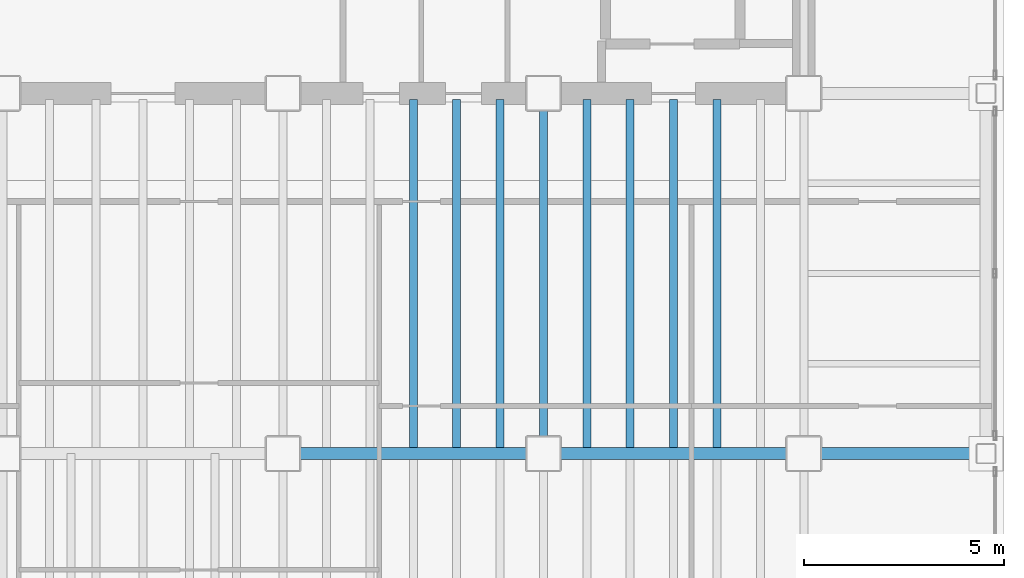
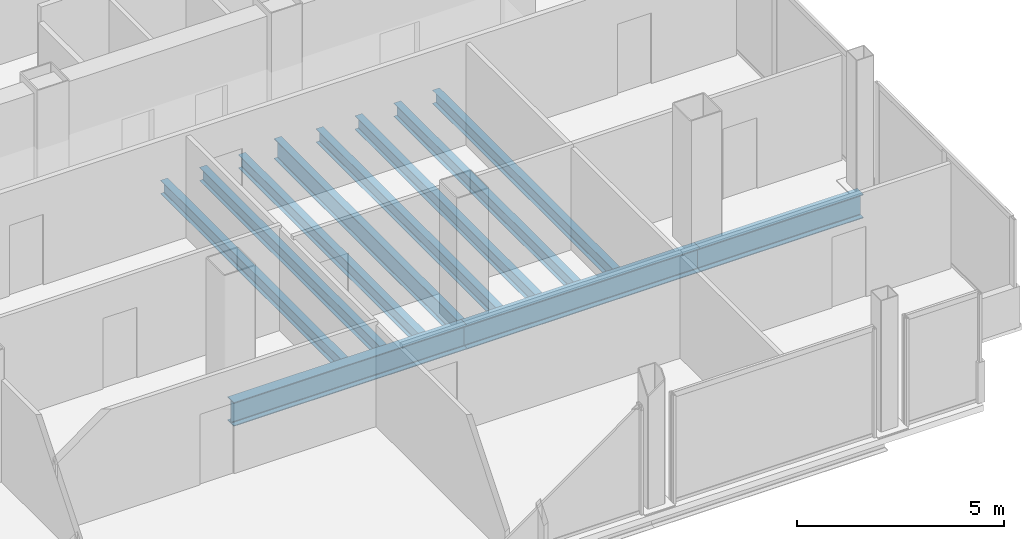
# One storey, part 15 of 22: 11 beams.
"""IFC4 building model written with IfcOpenShell, lengths in metres."""

from ifc_helpers import new_model, si_unit, direction, frame, origin, origin_2d, place, context, subcontext, project, spatial, i_section, extrude, material, material_profile, profile_set, type_object, element, save


model = new_model("IFC4")

# Units and contexts
model_context = context("Model", 3, precision=1e-05, world=origin(), true_north=direction((0.0, 1.0)))
body_context = subcontext(model_context, "Body", "Model", "MODEL_VIEW")
ifc_project = project(units=[si_unit("LENGTHUNIT", "METRE"), si_unit("AREAUNIT", "SQUARE_METRE"), si_unit("VOLUMEUNIT", "CUBIC_METRE"), si_unit("PLANEANGLEUNIT", "RADIAN"), si_unit("MASSUNIT", "GRAM", prefix="KILO")], contexts=[model_context])

# Site, building, storey
site_placement = place(None, origin())
site = spatial("IfcSite", under=ifc_project, at=site_placement, CompositionType="ELEMENT")
building_placement = place(site_placement, origin())
building = spatial("IfcBuilding", under=site, at=building_placement, Name="Noeulbin Bourse Tower", CompositionType="ELEMENT")
storey_placement = place(building_placement, frame((0.0, 0.0, 134.39990234375)))
storey = spatial("IfcBuildingStorey", under=building, at=storey_placement, Name="L33", CompositionType="ELEMENT", Elevation=134.39990234375)

# Beams
ifc_material = material(Name="Steel S355", Category="steel")
ifc_material_profile_1 = material_profile(ifc_material, i_section(OverallWidth=0.199951171875, OverallDepth=0.60009765625, WebThickness=0.010986328125, FlangeThickness=0.01708984375, FilletRadius=0.02197265625, at=origin_2d()), Name="H-600x200x11x17", Category="LoadBearing")
ifc_profile_set_1 = profile_set([ifc_material_profile_1], Name="Steel S355")
beam_type_1 = type_object("IfcBeamType", Name="BM-GRD-600", PredefinedType="USERDEFINED", material=ifc_profile_set_1)
beam_1_placement = place(storey_placement, frame((37.5, 20.0, -0.47998046875), z_axis=(0.0, 1.0, 0.0), x_axis=(-1.0, 0.0, 0.0)))
element("IfcBeam", 1, at=beam_1_placement, inside=storey, type_object=beam_type_1, Name="Tower Primary Girder NS L33-4.2", ObjectType="GIRDER", PredefinedType="USERDEFINED", context=body_context, shape_type="SweptSolid", body=[
    extrude(i_section(OverallWidth=0.199951171875, OverallDepth=0.60009765625, WebThickness=0.010986328125, FlangeThickness=0.01708984375, FilletRadius=0.02197265625, at=origin_2d()), origin(), (0.0, 0.0, 1.0), 9.0),
])
ifc_material_profile_2 = material_profile(ifc_material, i_section(OverallWidth=0.300048828125, OverallDepth=0.699951171875, WebThickness=0.012939453125, FlangeThickness=0.02392578125, FilletRadius=0.02392578125, at=origin_2d()), Name="H-700x300x13x24", Category="LoadBearing")
ifc_profile_set_2 = profile_set([ifc_material_profile_2], Name="Steel S355")
beam_type_2 = type_object("IfcBeamType", Name="BM-GRD-700", PredefinedType="USERDEFINED", material=ifc_profile_set_2)
for number, where, z_axis, x_axis, name in (
    (2, (31.0, 20.0, -0.52978515625), (1.0, 0.0, 0.0), (0.0, 1.0, 0.0), "Tower Primary Girder EW L33-1.4"),
    (3, (37.5, 20.0, -0.52978515625), (1.0, 0.0, 0.0), (0.0, 1.0, 0.0), "Tower Primary Girder EW L33-1.5"),
):
    element("IfcBeam", number, at=place(storey_placement, frame(where, z_axis=z_axis, x_axis=x_axis)), inside=storey, type_object=beam_type_2, Name=name, ObjectType="GIRDER", PredefinedType="USERDEFINED", context=body_context, shape_type="SweptSolid", body=[
        extrude(i_section(OverallWidth=0.300048828125, OverallDepth=0.699951171875, WebThickness=0.012939453125, FlangeThickness=0.02392578125, FilletRadius=0.02392578125, at=origin_2d()), origin(), (0.0, 0.0, 1.0), 6.5),
    ])
beam_2_placement = place(storey_placement, frame((44.0, 20.0, -0.52978515625), z_axis=(1.0, 0.0, 0.0), x_axis=(0.0, 1.0, 0.0)))
element("IfcBeam", 4, at=beam_2_placement, inside=storey, type_object=beam_type_2, Name="Tower Primary Girder EW L33-1.6", ObjectType="GIRDER", PredefinedType="USERDEFINED", context=body_context, shape_type="SweptSolid", body=[
    extrude(i_section(OverallWidth=0.300048828125, OverallDepth=0.699951171875, WebThickness=0.012939453125, FlangeThickness=0.02392578125, FilletRadius=0.02392578125, at=origin_2d()), origin(), (0.0, 0.0, 1.0), 4.550048828125),
])
ifc_material_profile_3 = material_profile(ifc_material, i_section(OverallWidth=0.199951171875, OverallDepth=0.39990234375, WebThickness=0.008056640625, FlangeThickness=0.012939453125, FilletRadius=0.01611328125, at=origin_2d()), Name="H-400x200x8x13", Category="LoadBearing")
ifc_profile_set_3 = profile_set([ifc_material_profile_3], Name="Steel S355")
beam_type_3 = type_object("IfcBeamType", Name="BM-SEC-400", PredefinedType="BEAM", material=ifc_profile_set_3)
for number, where, z_axis, x_axis, name in (
    (5, (34.25, 20.14990234375, -0.3798828125), (0.0, 1.0, 0.0), (-1.0, 0.0, 0.0), "Tower Composite Joist L33-32"),
    (6, (35.333251953125, 20.14990234375, -0.3798828125), (0.0, 1.0, 0.0), (-1.0, 0.0, 0.0), "Tower Composite Joist L33-34"),
    (7, (36.416748046875, 20.14990234375, -0.3798828125), (0.0, 1.0, 0.0), (-1.0, 0.0, 0.0), "Tower Composite Joist L33-36"),
    (8, (38.583251953125, 20.14990234375, -0.3798828125), (0.0, 1.0, 0.0), (-1.0, 0.0, 0.0), "Tower Composite Joist L33-38"),
    (9, (39.666748046875, 20.14990234375, -0.3798828125), (0.0, 1.0, 0.0), (-1.0, 0.0, 0.0), "Tower Composite Joist L33-40"),
    (10, (40.75, 20.14990234375, -0.3798828125), (0.0, 1.0, 0.0), (-1.0, 0.0, 0.0), "Tower Composite Joist L33-42"),
    (11, (41.833251953125, 20.14990234375, -0.3798828125), (0.0, 1.0, 0.0), (-1.0, 0.0, 0.0), "Tower Composite Joist L33-44"),
):
    element("IfcBeam", number, at=place(storey_placement, frame(where, z_axis=z_axis, x_axis=x_axis)), inside=storey, type_object=beam_type_3, Name=name, PredefinedType="BEAM", context=body_context, shape_type="SweptSolid", body=[
        extrude(i_section(OverallWidth=0.199951171875, OverallDepth=0.39990234375, WebThickness=0.008056640625, FlangeThickness=0.012939453125, FilletRadius=0.01611328125, at=origin_2d()), origin(), (0.0, 0.0, 1.0), 8.7001953125),
    ])

save(model, "model.ifc")
